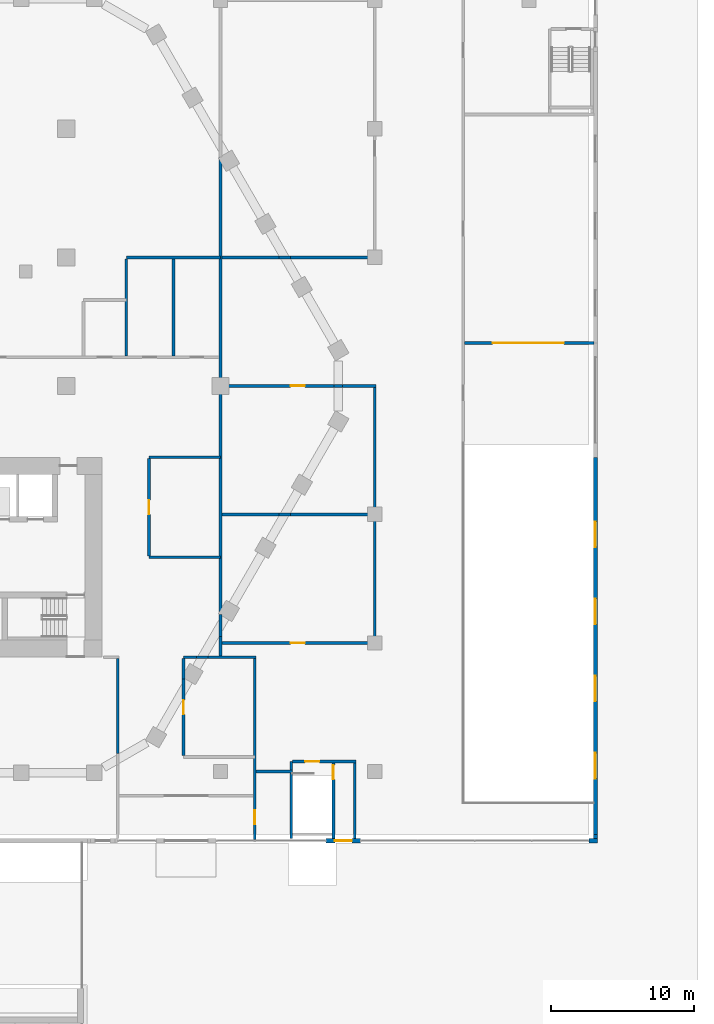
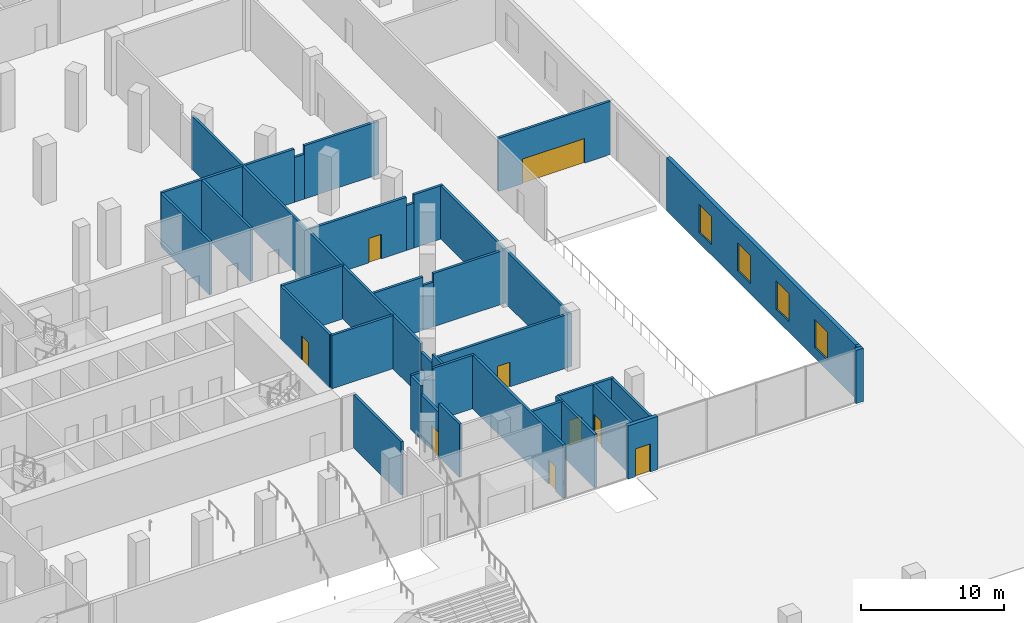
# One storey, part 24 of 57: 38 walls, 9 doors, 4 windows, 13 openings.
"""IFC4 building model written with IfcOpenShell, lengths in metres."""

from ifc_helpers import new_model, si_unit, direction, frame, frame_2d, origin, place, context, subcontext, project, spatial, rectangle, extrude, material, layer, layer_set, type_object, element, fill, save


model = new_model("IFC4")

# Units and contexts
model_context = context("Model", 3, precision=1e-05, world=origin(), true_north=direction((0.0, 1.0)))
body_context = subcontext(model_context, "Body", "Model", "MODEL_VIEW")
ifc_project = project(units=[si_unit("LENGTHUNIT", "METRE"), si_unit("AREAUNIT", "SQUARE_METRE"), si_unit("VOLUMEUNIT", "CUBIC_METRE"), si_unit("PLANEANGLEUNIT", "RADIAN"), si_unit("MASSUNIT", "GRAM", prefix="KILO")], contexts=[model_context])

# Site, building, storey
site_placement = place(None, origin())
site = spatial("IfcSite", under=ifc_project, at=site_placement, CompositionType="ELEMENT")
building_placement = place(site_placement, origin())
building = spatial("IfcBuilding", under=site, at=building_placement, Name="Beryl Residences", CompositionType="ELEMENT")
storey_placement = place(building_placement, origin())
storey = spatial("IfcBuildingStorey", under=building, at=storey_placement, Name="L00", CompositionType="ELEMENT", Elevation=0.0)

# Wall, opening, door
ifc_material_1 = material(Name="Composite metal panel with mineral wool insulation")
ifc_layer_1 = layer(ifc_material_1, 0.300048828125)
ifc_layer_set_1 = layer_set([ifc_layer_1], Name="ES1 pale metal composite panel wall 300 mm")
wall_type_1 = type_object("IfcWallType", Name="ES1 pale metal composite panel wall 300 mm", PredefinedType="SOLIDWALL", material=ifc_layer_set_1)
wall_1_placement = place(storey_placement, frame((29.0, -31.85009765625, 0.0), z_axis=(0.0, 0.0, 1.0), x_axis=(1.0, 0.0, 0.0)))
wall_1 = element("IfcWall", 1, at=wall_1_placement, inside=storey, type_object=wall_type_1, Name="ES1 entrance wall L00 S", PredefinedType="SOLIDWALL", context=body_context, shape_type="SweptSolid", body=[
    extrude(rectangle(XDim=2.39990234375, YDim=0.300048828125, at=frame_2d((1.199951171875, 0.0))), origin(), (0.0, 0.0, 1.0), 4.550048828125),
])
opening_1_placement = place(wall_1_placement, frame((1.800048828125, 0.0, 0.0), z_axis=(0.0, 0.0, 1.0), x_axis=(-1.0, 0.0, 0.0)))
opening_1 = element("IfcOpeningElement", 2, at=opening_1_placement, cuts=wall_1, Name="Opening XD1", PredefinedType="OPENING", context=body_context, shape_type="SweptSolid", body=[
    extrude(rectangle(XDim=1.199951171875, YDim=2.39990234375, at=frame_2d((0.60009765625, 1.199951171875))), frame((0.0, 0.159912109375, 0.0), z_axis=(0.0, -1.0, 0.0), x_axis=(1.0, 0.0, 0.0)), (0.0, 0.0, 1.0), 0.320068359375),
])
ifc_material_2 = material(Name="Galvanised steel", Category="steel")
door_type_1 = type_object("IfcDoorType", Name="XD1 exit door 1200 x 2400 mm", OperationType="SINGLE_SWING_RIGHT", PredefinedType="DOOR", material=ifc_material_2)
door_1_placement = place(opening_1_placement, origin())
door_1 = element("IfcDoor", 3, at=door_1_placement, inside=storey, type_object=door_type_1, Name="XD1 exit door L00 S", OperationType="SINGLE_SWING_RIGHT", OverallHeight=2.39990234375, OverallWidth=1.199951171875, PredefinedType="DOOR", context=body_context, shape_type="SweptSolid", body=[
    extrude(rectangle(XDim=1.199951171875, YDim=2.39990234375, at=frame_2d((0.60009765625, 1.199951171875))), frame((0.0, 0.02490234375, 0.0), z_axis=(0.0, -1.0, 0.0), x_axis=(1.0, 0.0, 0.0)), (0.0, 0.0, 1.0), 0.050048828125),
])
fill(opening_1, door_1)

# Walls
wall_2_placement = place(storey_placement, frame((47.39990234375, -31.85009765625, 0.0), z_axis=(0.0, 0.0, 1.0), x_axis=(1.0, 0.0, 0.0)))
element("IfcWall", 4, at=wall_2_placement, inside=storey, type_object=wall_type_1, Name="ES1 external wall L00 S 27", PredefinedType="SOLIDWALL", context=body_context, shape_type="SweptSolid", body=[
    extrude(rectangle(XDim=0.60009765625, YDim=0.300048828125, at=frame_2d((0.300048828125, 0.0))), origin(), (0.0, 0.0, 1.0), 4.550048828125),
])
wall_3_placement = place(storey_placement, frame((47.85009765625, -31.699951171875, 0.0), z_axis=(0.0, 0.0, 1.0), x_axis=(0.0, 1.0, 0.0)))
element("IfcWall", 5, at=wall_3_placement, inside=storey, type_object=wall_type_1, Name="ES1 external wall L00 E 1", PredefinedType="SOLIDWALL", context=body_context, shape_type="SweptSolid", body=[
    extrude(rectangle(XDim=0.300048828125, YDim=0.300048828125, at=frame_2d((0.14990234375, 0.0))), origin(), (0.0, 0.0, 1.0), 4.550048828125),
])

# Wall, openings, windows
wall_4_placement = place(storey_placement, frame((47.85009765625, -31.39990234375, 0.0), z_axis=(0.0, 0.0, 1.0), x_axis=(0.0, 1.0, 0.0)))
wall_4 = element("IfcWall", 6, at=wall_4_placement, inside=storey, type_object=wall_type_1, Name="ES1 external wall L00 E 2", PredefinedType="SOLIDWALL", context=body_context, shape_type="SweptSolid", body=[
    extrude(rectangle(XDim=26.39990234375, YDim=0.300048828125, at=frame_2d((13.199951171875, 0.0))), origin(), (0.0, 0.0, 1.0), 4.550048828125),
])
opening_2_placement = place(wall_4_placement, frame((3.89990234375, 0.0, 0.89990234375)))
opening_2 = element("IfcOpeningElement", 7, at=opening_2_placement, cuts=wall_4, Name="Opening W4", PredefinedType="OPENING", context=body_context, shape_type="SweptSolid", body=[
    extrude(rectangle(XDim=1.800048828125, YDim=2.39990234375, at=frame_2d((0.89990234375, 1.199951171875))), frame((0.0, 0.159912109375, 0.0), z_axis=(0.0, -1.0, 0.0), x_axis=(1.0, 0.0, 0.0)), (0.0, 0.0, 1.0), 0.320068359375),
])
opening_3_placement = place(wall_4_placement, frame((9.300048828125, 0.0, 0.89990234375)))
opening_3 = element("IfcOpeningElement", 8, at=opening_3_placement, cuts=wall_4, Name="Opening W4", PredefinedType="OPENING", context=body_context, shape_type="SweptSolid", body=[
    extrude(rectangle(XDim=1.800048828125, YDim=2.39990234375, at=frame_2d((0.89990234375, 1.199951171875))), frame((0.0, 0.159912109375, 0.0), z_axis=(0.0, -1.0, 0.0), x_axis=(1.0, 0.0, 0.0)), (0.0, 0.0, 1.0), 0.320068359375),
])
opening_4_placement = place(wall_4_placement, frame((14.699951171875, 0.0, 0.89990234375)))
opening_4 = element("IfcOpeningElement", 9, at=opening_4_placement, cuts=wall_4, Name="Opening W4", PredefinedType="OPENING", context=body_context, shape_type="SweptSolid", body=[
    extrude(rectangle(XDim=1.800048828125, YDim=2.39990234375, at=frame_2d((0.89990234375, 1.199951171875))), frame((0.0, 0.159912109375, 0.0), z_axis=(0.0, -1.0, 0.0), x_axis=(1.0, 0.0, 0.0)), (0.0, 0.0, 1.0), 0.320068359375),
])
opening_5_placement = place(wall_4_placement, frame((20.10009765625, 0.0, 0.89990234375)))
opening_5 = element("IfcOpeningElement", 10, at=opening_5_placement, cuts=wall_4, Name="Opening W4", PredefinedType="OPENING", context=body_context, shape_type="SweptSolid", body=[
    extrude(rectangle(XDim=1.800048828125, YDim=2.39990234375, at=frame_2d((0.89990234375, 1.199951171875))), frame((0.0, 0.159912109375, 0.0), z_axis=(0.0, -1.0, 0.0), x_axis=(1.0, 0.0, 0.0)), (0.0, 0.0, 1.0), 0.320068359375),
])
ifc_material_3 = material(Name="Aluminium and clear glass", Category="aluminium")
window_type = type_object("IfcWindowType", Name="W4 podium window 1800 x 2400 mm", PartitioningType="SINGLE_PANEL", PredefinedType="WINDOW", material=ifc_material_3)
window_1_placement = place(opening_2_placement, origin())
window_1 = element("IfcWindow", 11, at=window_1_placement, inside=storey, type_object=window_type, Name="W4 window L00 E 1", OverallHeight=2.39990234375, OverallWidth=1.800048828125, PartitioningType="SINGLE_PANEL", PredefinedType="WINDOW", context=body_context, shape_type="SweptSolid", body=[
    extrude(rectangle(XDim=1.800048828125, YDim=2.39990234375, at=frame_2d((0.89990234375, 1.199951171875))), frame((0.0, 0.030029296875, 0.0), z_axis=(0.0, -1.0, 0.0), x_axis=(1.0, 0.0, 0.0)), (0.0, 0.0, 1.0), 0.06005859375),
])
fill(opening_2, window_1)
window_2_placement = place(opening_3_placement, origin())
window_2 = element("IfcWindow", 12, at=window_2_placement, inside=storey, type_object=window_type, Name="W4 window L00 E 2", OverallHeight=2.39990234375, OverallWidth=1.800048828125, PartitioningType="SINGLE_PANEL", PredefinedType="WINDOW", context=body_context, shape_type="SweptSolid", body=[
    extrude(rectangle(XDim=1.800048828125, YDim=2.39990234375, at=frame_2d((0.89990234375, 1.199951171875))), frame((0.0, 0.030029296875, 0.0), z_axis=(0.0, -1.0, 0.0), x_axis=(1.0, 0.0, 0.0)), (0.0, 0.0, 1.0), 0.06005859375),
])
fill(opening_3, window_2)
window_3_placement = place(opening_4_placement, origin())
window_3 = element("IfcWindow", 13, at=window_3_placement, inside=storey, type_object=window_type, Name="W4 window L00 E 3", OverallHeight=2.39990234375, OverallWidth=1.800048828125, PartitioningType="SINGLE_PANEL", PredefinedType="WINDOW", context=body_context, shape_type="SweptSolid", body=[
    extrude(rectangle(XDim=1.800048828125, YDim=2.39990234375, at=frame_2d((0.89990234375, 1.199951171875))), frame((0.0, 0.030029296875, 0.0), z_axis=(0.0, -1.0, 0.0), x_axis=(1.0, 0.0, 0.0)), (0.0, 0.0, 1.0), 0.06005859375),
])
fill(opening_4, window_3)
window_4_placement = place(opening_5_placement, origin())
window_4 = element("IfcWindow", 14, at=window_4_placement, inside=storey, type_object=window_type, Name="W4 window L00 E 4", OverallHeight=2.39990234375, OverallWidth=1.800048828125, PartitioningType="SINGLE_PANEL", PredefinedType="WINDOW", context=body_context, shape_type="SweptSolid", body=[
    extrude(rectangle(XDim=1.800048828125, YDim=2.39990234375, at=frame_2d((0.89990234375, 1.199951171875))), frame((0.0, 0.030029296875, 0.0), z_axis=(0.0, -1.0, 0.0), x_axis=(1.0, 0.0, 0.0)), (0.0, 0.0, 1.0), 0.06005859375),
])
fill(opening_5, window_4)

# Wall, opening, door
ifc_material_4 = material(Name="Double stud gypsum board wall")
ifc_layer_2 = layer(ifc_material_4, 0.199951171875)
ifc_layer_set_2 = layer_set([ifc_layer_2], Name="PT10 tenancy wall 200 mm")
wall_type_2 = type_object("IfcWallType", Name="PT10 tenancy wall 200 mm", PredefinedType="PARTITIONING", material=ifc_layer_set_2)
wall_5_placement = place(storey_placement, frame((21.699951171875, -18.0, 0.0), z_axis=(0.0, 0.0, 1.0), x_axis=(1.0, 0.0, 0.0)))
wall_5 = element("IfcWall", 15, at=wall_5_placement, inside=storey, type_object=wall_type_2, Name="Wall PT10 L00 003", PredefinedType="PARTITIONING", context=body_context, shape_type="SweptSolid", body=[
    extrude(rectangle(XDim=10.800048828125, YDim=0.199951171875, at=frame_2d((5.39990234375, 0.0))), origin(), (0.0, 0.0, 1.0), 4.550048828125),
])
opening_6_placement = place(wall_5_placement, frame((4.801025390625, 0.0, 0.0)))
opening_6 = element("IfcOpeningElement", 16, at=opening_6_placement, cuts=wall_5, Name="Opening L00-29", PredefinedType="OPENING", context=body_context, shape_type="SweptSolid", body=[
    extrude(rectangle(XDim=1.0, YDim=2.10009765625, at=frame_2d((0.5, 1.050048828125))), frame((0.0, 0.10986328125, 0.0), z_axis=(0.0, -1.0, 0.0), x_axis=(1.0, 0.0, 0.0)), (0.0, 0.0, 1.0), 0.219970703125),
])
ifc_material_5 = material(Name="Timber door leaf", Category="wood")
door_type_2 = type_object("IfcDoorType", Name="D9 corridor door 1000 x 2100 mm", OperationType="SINGLE_SWING_LEFT", PredefinedType="DOOR", material=ifc_material_5)
door_2_placement = place(opening_6_placement, origin())
door_2 = element("IfcDoor", 17, at=door_2_placement, inside=storey, type_object=door_type_2, Name="Door L00-29 L00 001", OperationType="SINGLE_SWING_LEFT", OverallHeight=2.10009765625, OverallWidth=1.0, PredefinedType="DOOR", context=body_context, shape_type="SweptSolid", body=[
    extrude(rectangle(XDim=1.0, YDim=2.10009765625, at=frame_2d((0.5, 1.050048828125))), frame((0.0, 0.02490234375, 0.0), z_axis=(0.0, -1.0, 0.0), x_axis=(1.0, 0.0, 0.0)), (0.0, 0.0, 1.0), 0.050048828125),
])
fill(opening_6, door_2)

# Walls
wall_6_placement = place(storey_placement, frame((21.699951171875, -9.0, 0.0), z_axis=(0.0, 0.0, 1.0), x_axis=(1.0, 0.0, 0.0)))
element("IfcWall", 18, at=wall_6_placement, inside=storey, type_object=wall_type_2, Name="Wall PT10 L00 007", PredefinedType="PARTITIONING", context=body_context, shape_type="SweptSolid", body=[
    extrude(rectangle(XDim=3.991943359375, YDim=0.199951171875, at=frame_2d((1.99609375, 0.0))), origin(), (0.0, 0.0, 1.0), 4.550048828125),
])
wall_7_placement = place(storey_placement, frame((25.69189453125, -9.0, 0.0), z_axis=(0.0, 0.0, 1.0), x_axis=(1.0, 0.0, 0.0)))
element("IfcWall", 19, at=wall_7_placement, inside=storey, type_object=wall_type_2, Name="Wall PT10 L00 008", PredefinedType="PARTITIONING", context=body_context, shape_type="SweptSolid", body=[
    extrude(rectangle(XDim=0.80908203125, YDim=0.199951171875, at=frame_2d((0.404541015625, 0.0))), origin(), (0.0, 0.0, 1.0), 3.820068359375),
])
wall_8_placement = place(storey_placement, frame((26.5009765625, -9.0, 0.0), z_axis=(0.0, 0.0, 1.0), x_axis=(1.0, 0.0, 0.0)))
element("IfcWall", 20, at=wall_8_placement, inside=storey, type_object=wall_type_2, Name="Wall PT10 L00 009", PredefinedType="PARTITIONING", context=body_context, shape_type="SweptSolid", body=[
    extrude(rectangle(XDim=5.799072265625, YDim=0.199951171875, at=frame_2d((2.8994140625, 0.0))), origin(), (0.0, 0.0, 1.0), 4.550048828125),
])

# Wall, opening, door
wall_9_placement = place(storey_placement, frame((21.699951171875, 0.0, 0.0), z_axis=(0.0, 0.0, 1.0), x_axis=(1.0, 0.0, 0.0)))
wall_9 = element("IfcWall", 21, at=wall_9_placement, inside=storey, type_object=wall_type_2, Name="Wall PT10 L00 010", PredefinedType="PARTITIONING", context=body_context, shape_type="SweptSolid", body=[
    extrude(rectangle(XDim=7.84814453125, YDim=0.199951171875, at=frame_2d((3.924072265625, 0.0))), origin(), (0.0, 0.0, 1.0), 4.550048828125),
])
opening_7_placement = place(wall_9_placement, frame((5.801025390625, 0.0, 0.0), z_axis=(0.0, 0.0, 1.0), x_axis=(-1.0, 0.0, 0.0)))
opening_7 = element("IfcOpeningElement", 22, at=opening_7_placement, cuts=wall_9, Name="Opening L00-30", PredefinedType="OPENING", context=body_context, shape_type="SweptSolid", body=[
    extrude(rectangle(XDim=1.0, YDim=2.10009765625, at=frame_2d((0.5, 1.050048828125))), frame((0.0, 0.10986328125, 0.0), z_axis=(0.0, -1.0, 0.0), x_axis=(1.0, 0.0, 0.0)), (0.0, 0.0, 1.0), 0.219970703125),
])
door_3_placement = place(opening_7_placement, origin())
door_3 = element("IfcDoor", 23, at=door_3_placement, inside=storey, type_object=door_type_2, Name="Door L00-30 L00 001", OperationType="SINGLE_SWING_LEFT", OverallHeight=2.10009765625, OverallWidth=1.0, PredefinedType="DOOR", context=body_context, shape_type="SweptSolid", body=[
    extrude(rectangle(XDim=1.0, YDim=2.10009765625, at=frame_2d((0.5, 1.050048828125))), frame((0.0, 0.02490234375, 0.0), z_axis=(0.0, -1.0, 0.0), x_axis=(1.0, 0.0, 0.0)), (0.0, 0.0, 1.0), 0.050048828125),
])
fill(opening_7, door_3)

# Walls
wall_10_placement = place(storey_placement, frame((29.548095703125, 0.0, 0.0), z_axis=(0.0, 0.0, 1.0), x_axis=(1.0, 0.0, 0.0)))
element("IfcWall", 24, at=wall_10_placement, inside=storey, type_object=wall_type_2, Name="Wall PT10 L00 011", PredefinedType="PARTITIONING", context=body_context, shape_type="SweptSolid", body=[
    extrude(rectangle(XDim=0.600830078125, YDim=0.199951171875, at=frame_2d((0.30029296875, 0.0))), origin(), (0.0, 0.0, 1.0), 3.820068359375),
])
wall_11_placement = place(storey_placement, frame((30.14892578125, 0.0, 0.0), z_axis=(0.0, 0.0, 1.0), x_axis=(1.0, 0.0, 0.0)))
element("IfcWall", 25, at=wall_11_placement, inside=storey, type_object=wall_type_2, Name="Wall PT10 L00 012", PredefinedType="PARTITIONING", context=body_context, shape_type="SweptSolid", body=[
    extrude(rectangle(XDim=2.35107421875, YDim=0.199951171875, at=frame_2d((1.175537109375, 0.0))), origin(), (0.0, 0.0, 1.0), 4.550048828125),
])
wall_12_placement = place(storey_placement, frame((32.39990234375, -17.89990234375, 0.0), z_axis=(0.0, 0.0, 1.0), x_axis=(0.0, 1.0, 0.0)))
element("IfcWall", 26, at=wall_12_placement, inside=storey, type_object=wall_type_2, Name="Wall PT10 L00 029", PredefinedType="PARTITIONING", context=body_context, shape_type="SweptSolid", body=[
    extrude(rectangle(XDim=17.7998046875, YDim=0.199951171875, at=frame_2d((8.89990234375, 0.0))), origin(), (0.0, 0.0, 1.0), 4.550048828125),
])
ifc_material_6 = material(Name="Cement board with tiles")
ifc_layer_3 = layer(ifc_material_6, 0.199951171875)
ifc_layer_set_3 = layer_set([ifc_layer_3], Name="PT11-200 wet area wall 200 mm")
wall_type_3 = type_object("IfcWallType", Name="PT11-200 wet area wall 200 mm", PredefinedType="PARTITIONING", material=ifc_layer_set_3)
wall_13_placement = place(storey_placement, frame((15.0, 9.0, 0.0), z_axis=(0.0, 0.0, 1.0), x_axis=(1.0, 0.0, 0.0)))
element("IfcWall", 27, at=wall_13_placement, inside=storey, type_object=wall_type_3, Name="Wall PT11-200 L00 002", PredefinedType="PARTITIONING", context=body_context, shape_type="SweptSolid", body=[
    extrude(rectangle(XDim=6.60009765625, YDim=0.199951171875, at=frame_2d((3.300048828125, 0.0))), origin(), (0.0, 0.0, 1.0), 4.550048828125),
])
wall_14_placement = place(storey_placement, frame((21.699951171875, 9.0, 0.0), z_axis=(0.0, 0.0, 1.0), x_axis=(1.0, 0.0, 0.0)))
element("IfcWall", 28, at=wall_14_placement, inside=storey, type_object=wall_type_3, Name="Wall PT11-200 L00 003", PredefinedType="PARTITIONING", context=body_context, shape_type="SweptSolid", body=[
    extrude(rectangle(XDim=3.991943359375, YDim=0.199951171875, at=frame_2d((1.99609375, 0.0))), origin(), (0.0, 0.0, 1.0), 4.550048828125),
])
wall_15_placement = place(storey_placement, frame((25.69189453125, 9.0, 0.0), z_axis=(0.0, 0.0, 1.0), x_axis=(1.0, 0.0, 0.0)))
element("IfcWall", 29, at=wall_15_placement, inside=storey, type_object=wall_type_3, Name="Wall PT11-200 L00 004", PredefinedType="PARTITIONING", context=body_context, shape_type="SweptSolid", body=[
    extrude(rectangle(XDim=0.80908203125, YDim=0.199951171875, at=frame_2d((0.404541015625, 0.0))), origin(), (0.0, 0.0, 1.0), 3.820068359375),
])
wall_16_placement = place(storey_placement, frame((26.5009765625, 9.0, 0.0), z_axis=(0.0, 0.0, 1.0), x_axis=(1.0, 0.0, 0.0)))
element("IfcWall", 30, at=wall_16_placement, inside=storey, type_object=wall_type_3, Name="Wall PT11-200 L00 005", PredefinedType="PARTITIONING", context=body_context, shape_type="SweptSolid", body=[
    extrude(rectangle(XDim=5.9990234375, YDim=0.199951171875, at=frame_2d((2.99951171875, 0.0))), origin(), (0.0, 0.0, 1.0), 4.550048828125),
])
for number, where, z_axis, x_axis, name in (
    (31, (15.0, 2.10009765625, 0.0), (0.0, 0.0, 1.0), (0.0, 1.0, 0.0), "Wall PT11-200 L00 007"),
    (32, (18.300048828125, 2.10009765625, 0.0), (0.0, 0.0, 1.0), (0.0, 1.0, 0.0), "Wall PT11-200 L00 008"),
):
    element("IfcWall", number, at=place(storey_placement, frame(where, z_axis=z_axis, x_axis=x_axis)), inside=storey, type_object=wall_type_3, Name=name, PredefinedType="PARTITIONING", context=body_context, shape_type="SweptSolid", body=[
        extrude(rectangle(XDim=6.7998046875, YDim=0.199951171875, at=frame_2d((3.39990234375, 0.0))), origin(), (0.0, 0.0, 1.0), 4.550048828125),
    ])

# Wall, opening, door
ifc_material_7 = material(Name="Concrete C40/50", Category="concrete")
ifc_layer_4 = layer(ifc_material_7, 0.199951171875)
ifc_layer_set_4 = layer_set([ifc_layer_4], Name="PT5 stair enclosure wall 200 mm reinforced concrete C40/50")
wall_type_4 = type_object("IfcWallType", Name="PT5 stair enclosure wall 200 mm reinforced concrete C40/50", PredefinedType="SOLIDWALL", material=ifc_layer_set_4)
wall_17_placement = place(storey_placement, frame((26.64990234375, -26.300048828125, 0.0), z_axis=(0.0, 0.0, 1.0), x_axis=(1.0, 0.0, 0.0)))
wall_17 = element("IfcWall", 33, at=wall_17_placement, inside=storey, type_object=wall_type_4, Name="Wall PT5 L00 006", PredefinedType="SOLIDWALL", context=body_context, shape_type="SweptSolid", body=[
    extrude(rectangle(XDim=4.4501953125, YDim=0.199951171875, at=frame_2d((2.22509765625, 0.0))), origin(), (0.0, 0.0, 1.0), 4.550048828125),
])
opening_8_placement = place(wall_17_placement, frame((1.875, 0.0, 0.0), z_axis=(0.0, 0.0, 1.0), x_axis=(-1.0, 0.0, 0.0)))
opening_8 = element("IfcOpeningElement", 34, at=opening_8_placement, cuts=wall_17, Name="Opening L00-48", PredefinedType="OPENING", context=body_context, shape_type="SweptSolid", body=[
    extrude(rectangle(XDim=1.0, YDim=2.10009765625, at=frame_2d((0.5, 1.050048828125))), frame((0.0, 0.10986328125, 0.0), z_axis=(0.0, -1.0, 0.0), x_axis=(1.0, 0.0, 0.0)), (0.0, 0.0, 1.0), 0.219970703125),
])
ifc_material_8 = material(Name="Steel door leaf in steel frame", Category="steel")
door_type_3 = type_object("IfcDoorType", Name="D15 stair door 1000 x 2100 mm", OperationType="SINGLE_SWING_LEFT", PredefinedType="DOOR", material=ifc_material_8)
door_4_placement = place(opening_8_placement, origin())
door_4 = element("IfcDoor", 35, at=door_4_placement, inside=storey, type_object=door_type_3, Name="Door L00-48 L00 001", OperationType="SINGLE_SWING_LEFT", OverallHeight=2.10009765625, OverallWidth=1.0, PredefinedType="DOOR", context=body_context, shape_type="SweptSolid", body=[
    extrude(rectangle(XDim=1.0, YDim=2.10009765625, at=frame_2d((0.5, 1.050048828125))), frame((0.0, 0.02490234375, 0.0), z_axis=(0.0, -1.0, 0.0), x_axis=(1.0, 0.0, 0.0)), (0.0, 0.0, 1.0), 0.050048828125),
])
fill(opening_8, door_4)

# Walls
wall_18_placement = place(storey_placement, frame((14.39990234375, -25.7490234375, 0.0), z_axis=(0.0, 0.0, 1.0), x_axis=(0.0, 1.0, 0.0)))
element("IfcWall", 36, at=wall_18_placement, inside=storey, type_object=wall_type_4, Name="Wall PT5 L00 053", PredefinedType="SOLIDWALL", context=body_context, shape_type="SweptSolid", body=[
    extrude(rectangle(XDim=6.64892578125, YDim=0.199951171875, at=frame_2d((3.324462890625, 0.0))), origin(), (0.0, 0.0, 1.0), 4.550048828125),
])
wall_19_placement = place(storey_placement, frame((26.550048828125, -31.699951171875, 0.0), z_axis=(0.0, 0.0, 1.0), x_axis=(0.0, 1.0, 0.0)))
element("IfcWall", 37, at=wall_19_placement, inside=storey, type_object=wall_type_4, Name="Wall PT5 L00 057", PredefinedType="SOLIDWALL", context=body_context, shape_type="SweptSolid", body=[
    extrude(rectangle(XDim=5.39990234375, YDim=0.199951171875, at=frame_2d((2.699951171875, 0.0))), origin(), (0.0, 0.0, 1.0), 4.550048828125),
])

# Wall, opening, door
wall_20_placement = place(storey_placement, frame((29.5, -31.699951171875, 0.0), z_axis=(0.0, 0.0, 1.0), x_axis=(0.0, 1.0, 0.0)))
wall_20 = element("IfcWall", 38, at=wall_20_placement, inside=storey, type_object=wall_type_4, Name="Wall PT5 L00 058", PredefinedType="SOLIDWALL", context=body_context, shape_type="SweptSolid", body=[
    extrude(rectangle(XDim=5.300048828125, YDim=0.199951171875, at=frame_2d((2.64990234375, 0.0))), origin(), (0.0, 0.0, 1.0), 4.550048828125),
])
opening_9_placement = place(wall_20_placement, frame((5.14990234375, 0.0, 0.0), z_axis=(0.0, 0.0, 1.0), x_axis=(-1.0, 0.0, 0.0)))
opening_9 = element("IfcOpeningElement", 39, at=opening_9_placement, cuts=wall_20, Name="Opening L00-52", PredefinedType="OPENING", context=body_context, shape_type="SweptSolid", body=[
    extrude(rectangle(XDim=1.0, YDim=2.10009765625, at=frame_2d((0.5, 1.050048828125))), frame((0.0, 0.10986328125, 0.0), z_axis=(0.0, -1.0, 0.0), x_axis=(1.0, 0.0, 0.0)), (0.0, 0.0, 1.0), 0.219970703125),
])
door_5_placement = place(opening_9_placement, origin())
door_5 = element("IfcDoor", 40, at=door_5_placement, inside=storey, type_object=door_type_3, Name="Door L00-52 L00 001", OperationType="SINGLE_SWING_LEFT", OverallHeight=2.10009765625, OverallWidth=1.0, PredefinedType="DOOR", context=body_context, shape_type="SweptSolid", body=[
    extrude(rectangle(XDim=1.0, YDim=2.10009765625, at=frame_2d((0.5, 1.050048828125))), frame((0.0, 0.02490234375, 0.0), z_axis=(0.0, -1.0, 0.0), x_axis=(1.0, 0.0, 0.0)), (0.0, 0.0, 1.0), 0.050048828125),
])
fill(opening_9, door_5)

# Walls
wall_21_placement = place(storey_placement, frame((31.0, -31.699951171875, 0.0), z_axis=(0.0, 0.0, 1.0), x_axis=(0.0, 1.0, 0.0)))
element("IfcWall", 41, at=wall_21_placement, inside=storey, type_object=wall_type_4, Name="Wall PT5 L00 059", PredefinedType="SOLIDWALL", context=body_context, shape_type="SweptSolid", body=[
    extrude(rectangle(XDim=5.300048828125, YDim=0.199951171875, at=frame_2d((2.64990234375, 0.0))), origin(), (0.0, 0.0, 1.0), 4.550048828125),
])
ifc_material_9 = material(Name="Concrete masonry", Category="masonry")
ifc_layer_5 = layer(ifc_material_9, 0.199951171875)
ifc_layer_set_5 = layer_set([ifc_layer_5], Name="PT8-200 service room wall 200 mm")
wall_type_5 = type_object("IfcWallType", Name="PT8-200 service room wall 200 mm", PredefinedType="PARTITIONING", material=ifc_layer_set_5)
wall_22_placement = place(storey_placement, frame((24.10009765625, -27.0, 0.0), z_axis=(0.0, 0.0, 1.0), x_axis=(1.0, 0.0, 0.0)))
element("IfcWall", 42, at=wall_22_placement, inside=storey, type_object=wall_type_5, Name="Wall PT8-200 L00 001", PredefinedType="PARTITIONING", context=body_context, shape_type="SweptSolid", body=[
    extrude(rectangle(XDim=2.5498046875, YDim=0.199951171875, at=frame_2d((1.27490234375, 0.0))), origin(), (0.0, 0.0, 1.0), 4.550048828125),
])
wall_23_placement = place(storey_placement, frame((19.0, -19.0, 0.0), z_axis=(0.0, 0.0, 1.0), x_axis=(1.0, 0.0, 0.0)))
element("IfcWall", 43, at=wall_23_placement, inside=storey, type_object=wall_type_5, Name="Wall PT8-200 L00 003", PredefinedType="PARTITIONING", context=body_context, shape_type="SweptSolid", body=[
    extrude(rectangle(XDim=1.01904296875, YDim=0.199951171875, at=frame_2d((0.509521484375, 0.0))), origin(), (0.0, 0.0, 1.0), 4.550048828125),
])
wall_24_placement = place(storey_placement, frame((19.9189453125, -19.0, 0.0), z_axis=(0.0, 0.0, 1.0), x_axis=(1.0, 0.0, 0.0)))
element("IfcWall", 44, at=wall_24_placement, inside=storey, type_object=wall_type_5, Name="Wall PT8-200 L00 004", PredefinedType="PARTITIONING", context=body_context, shape_type="SweptSolid", body=[
    extrude(rectangle(XDim=0.80810546875, YDim=0.199951171875, at=frame_2d((0.404052734375, 0.0))), origin(), (0.0, 0.0, 1.0), 3.820068359375),
])
wall_25_placement = place(storey_placement, frame((20.72705078125, -19.0, 0.0), z_axis=(0.0, 0.0, 1.0), x_axis=(1.0, 0.0, 0.0)))
element("IfcWall", 45, at=wall_25_placement, inside=storey, type_object=wall_type_5, Name="Wall PT8-200 L00 005", PredefinedType="PARTITIONING", context=body_context, shape_type="SweptSolid", body=[
    extrude(rectangle(XDim=3.373046875, YDim=0.199951171875, at=frame_2d((1.6865234375, 0.0))), origin(), (0.0, 0.0, 1.0), 4.550048828125),
])
for number, where, z_axis, x_axis, name in (
    (46, (16.60009765625, -12.0, 0.0), (0.0, 0.0, 1.0), (1.0, 0.0, 0.0), "Wall PT8-200 L00 006"),
    (47, (16.60009765625, -5.0, 0.0), (0.0, 0.0, 1.0), (1.0, 0.0, 0.0), "Wall PT8-200 L00 007"),
):
    element("IfcWall", number, at=place(storey_placement, frame(where, z_axis=z_axis, x_axis=x_axis)), inside=storey, type_object=wall_type_5, Name=name, PredefinedType="PARTITIONING", context=body_context, shape_type="SweptSolid", body=[
        extrude(rectangle(XDim=5.0, YDim=0.199951171875, at=frame_2d((2.5, 0.0))), origin(), (0.0, 0.0, 1.0), 4.550048828125),
    ])

# Wall, opening, door
wall_26_placement = place(storey_placement, frame((38.699951171875, 3.0, 0.0), z_axis=(0.0, 0.0, 1.0), x_axis=(1.0, 0.0, 0.0)))
wall_26 = element("IfcWall", 48, at=wall_26_placement, inside=storey, type_object=wall_type_5, Name="Wall PT8-200 L00 008", PredefinedType="PARTITIONING", context=body_context, shape_type="SweptSolid", body=[
    extrude(rectangle(XDim=9.050048828125, YDim=0.199951171875, at=frame_2d((4.52490234375, 0.0))), origin(), (0.0, 0.0, 1.0), 4.550048828125),
])
opening_10_placement = place(wall_26_placement, frame((1.949951171875, 0.0, 0.0)))
opening_10 = element("IfcOpeningElement", 49, at=opening_10_placement, cuts=wall_26, Name="Opening L00-38", PredefinedType="OPENING", context=body_context, shape_type="SweptSolid", body=[
    extrude(rectangle(XDim=5.0, YDim=2.10009765625, at=frame_2d((2.5, 1.050048828125))), frame((0.0, 0.10986328125, 0.0), z_axis=(0.0, -1.0, 0.0), x_axis=(1.0, 0.0, 0.0)), (0.0, 0.0, 1.0), 0.219970703125),
])
ifc_material_10 = material(Name="Steel roller shutter", Category="steel")
door_type_4 = type_object("IfcDoorType", Name="RSH1 roller shutter 5000 x 2100 mm", OperationType="ROLLINGUP", PredefinedType="DOOR", material=ifc_material_10)
door_6_placement = place(opening_10_placement, origin())
door_6 = element("IfcDoor", 50, at=door_6_placement, inside=storey, type_object=door_type_4, Name="Door L00-38 L00 001", OperationType="ROLLINGUP", OverallHeight=2.10009765625, OverallWidth=5.0, PredefinedType="DOOR", context=body_context, shape_type="SweptSolid", body=[
    extrude(rectangle(XDim=5.0, YDim=2.10009765625, at=frame_2d((2.5, 1.050048828125))), frame((0.0, 0.02490234375, 0.0), z_axis=(0.0, -1.0, 0.0), x_axis=(1.0, 0.0, 0.0)), (0.0, 0.0, 1.0), 0.050048828125),
])
fill(opening_10, door_6)

wall_27_placement = place(storey_placement, frame((16.60009765625, -11.89990234375, 0.0), z_axis=(0.0, 0.0, 1.0), x_axis=(0.0, 1.0, 0.0)))
wall_27 = element("IfcWall", 51, at=wall_27_placement, inside=storey, type_object=wall_type_5, Name="Wall PT8-200 L00 010", PredefinedType="PARTITIONING", context=body_context, shape_type="SweptSolid", body=[
    extrude(rectangle(XDim=6.7998046875, YDim=0.199951171875, at=frame_2d((3.39990234375, 0.0))), origin(), (0.0, 0.0, 1.0), 4.550048828125),
])
opening_11_placement = place(wall_27_placement, frame((2.89990234375, 0.0, 0.0)))
opening_11 = element("IfcOpeningElement", 52, at=opening_11_placement, cuts=wall_27, Name="Opening L00-06", PredefinedType="OPENING", context=body_context, shape_type="SweptSolid", body=[
    extrude(rectangle(XDim=1.0, YDim=2.10009765625, at=frame_2d((0.5, 1.050048828125))), frame((0.0, 0.10986328125, 0.0), z_axis=(0.0, -1.0, 0.0), x_axis=(1.0, 0.0, 0.0)), (0.0, 0.0, 1.0), 0.219970703125),
])
ifc_material_11 = material(Name="Steel door leaf in steel frame", Category="steel")
door_type_5 = type_object("IfcDoorType", Name="D18 service room door 1000 x 2100 mm", OperationType="SINGLE_SWING_LEFT", PredefinedType="DOOR", material=ifc_material_11)
door_7_placement = place(opening_11_placement, origin())
door_7 = element("IfcDoor", 53, at=door_7_placement, inside=storey, type_object=door_type_5, Name="Door L00-06 L00 001", OperationType="SINGLE_SWING_RIGHT", OverallHeight=2.10009765625, OverallWidth=1.0, PredefinedType="DOOR", context=body_context, shape_type="SweptSolid", body=[
    extrude(rectangle(XDim=1.0, YDim=2.10009765625, at=frame_2d((0.5, 1.050048828125))), frame((0.0, 0.02490234375, 0.0), z_axis=(0.0, -1.0, 0.0), x_axis=(1.0, 0.0, 0.0)), (0.0, 0.0, 1.0), 0.050048828125),
])
fill(opening_11, door_7)

# Wall
wall_28_placement = place(storey_placement, frame((19.0, -25.89990234375, 0.0), z_axis=(0.0, 0.0, 1.0), x_axis=(0.0, 1.0, 0.0)))
element("IfcWall", 54, at=wall_28_placement, inside=storey, type_object=wall_type_5, Name="Wall PT8-200 L00 011", PredefinedType="PARTITIONING", context=body_context, shape_type="SweptSolid", body=[
    extrude(rectangle(XDim=2.89990234375, YDim=0.199951171875, at=frame_2d((1.449951171875, 0.0))), origin(), (0.0, 0.0, 1.0), 4.550048828125),
])

# Wall, opening, door
wall_29_placement = place(storey_placement, frame((19.0, -23.0, 0.0), z_axis=(0.0, 0.0, 1.0), x_axis=(0.0, 1.0, 0.0)))
wall_29 = element("IfcWall", 55, at=wall_29_placement, inside=storey, type_object=wall_type_5, Name="Wall PT8-200 L00 012", PredefinedType="PARTITIONING", context=body_context, shape_type="SweptSolid", body=[
    extrude(rectangle(XDim=2.48095703125, YDim=0.199951171875, at=frame_2d((1.240478515625, 0.0))), origin(), (0.0, 0.0, 1.0), 3.820068359375),
])
opening_12_placement = place(wall_29_placement, origin())
opening_12 = element("IfcOpeningElement", 56, at=opening_12_placement, cuts=wall_29, Name="Opening L00-05", PredefinedType="OPENING", context=body_context, shape_type="SweptSolid", body=[
    extrude(rectangle(XDim=1.0, YDim=2.10009765625, at=frame_2d((0.5, 1.050048828125))), frame((0.0, 0.10986328125, 0.0), z_axis=(0.0, -1.0, 0.0), x_axis=(1.0, 0.0, 0.0)), (0.0, 0.0, 1.0), 0.219970703125),
])
door_8_placement = place(opening_12_placement, origin())
door_8 = element("IfcDoor", 57, at=door_8_placement, inside=storey, type_object=door_type_5, Name="Door L00-05 L00 001", OperationType="SINGLE_SWING_LEFT", OverallHeight=2.10009765625, OverallWidth=1.0, PredefinedType="DOOR", context=body_context, shape_type="SweptSolid", body=[
    extrude(rectangle(XDim=1.0, YDim=2.10009765625, at=frame_2d((0.5, 1.050048828125))), frame((0.0, 0.02490234375, 0.0), z_axis=(0.0, -1.0, 0.0), x_axis=(1.0, 0.0, 0.0)), (0.0, 0.0, 1.0), 0.050048828125),
])
fill(opening_12, door_8)

# Walls
wall_30_placement = place(storey_placement, frame((19.0, -20.51904296875, 0.0), z_axis=(0.0, 0.0, 1.0), x_axis=(0.0, 1.0, 0.0)))
element("IfcWall", 58, at=wall_30_placement, inside=storey, type_object=wall_type_5, Name="Wall PT8-200 L00 013", PredefinedType="PARTITIONING", context=body_context, shape_type="SweptSolid", body=[
    extrude(rectangle(XDim=1.4189453125, YDim=0.199951171875, at=frame_2d((0.70947265625, 0.0))), origin(), (0.0, 0.0, 1.0), 4.550048828125),
])
wall_31_placement = place(storey_placement, frame((21.60009765625, -18.89990234375, 0.0), z_axis=(0.0, 0.0, 1.0), x_axis=(0.0, 1.0, 0.0)))
element("IfcWall", 59, at=wall_31_placement, inside=storey, type_object=wall_type_5, Name="Wall PT8-200 L00 014", PredefinedType="PARTITIONING", context=body_context, shape_type="SweptSolid", body=[
    extrude(rectangle(XDim=1.3388671875, YDim=0.199951171875, at=frame_2d((0.66943359375, 0.0))), origin(), (0.0, 0.0, 1.0), 4.550048828125),
])
wall_32_placement = place(storey_placement, frame((21.60009765625, -17.56103515625, 0.0), z_axis=(0.0, 0.0, 1.0), x_axis=(0.0, 1.0, 0.0)))
element("IfcWall", 60, at=wall_32_placement, inside=storey, type_object=wall_type_5, Name="Wall PT8-200 L00 015", PredefinedType="PARTITIONING", context=body_context, shape_type="SweptSolid", body=[
    extrude(rectangle(XDim=1.546142578125, YDim=0.199951171875, at=frame_2d((0.77294921875, 0.0))), origin(), (0.0, 0.0, 1.0), 3.820068359375),
])
wall_33_placement = place(storey_placement, frame((21.60009765625, -16.014892578125, 0.0), z_axis=(0.0, 0.0, 1.0), x_axis=(0.0, 1.0, 0.0)))
element("IfcWall", 61, at=wall_33_placement, inside=storey, type_object=wall_type_5, Name="Wall PT8-200 L00 016", PredefinedType="PARTITIONING", context=body_context, shape_type="SweptSolid", body=[
    extrude(rectangle(XDim=32.02978515625, YDim=0.199951171875, at=frame_2d((16.014892578125, 0.0))), origin(), (0.0, 0.0, 1.0), 4.550048828125),
])

# Wall, opening, door
wall_34_placement = place(storey_placement, frame((24.0, -31.75, 0.0), z_axis=(0.0, 0.0, 1.0), x_axis=(0.0, 1.0, 0.0)))
wall_34 = element("IfcWall", 62, at=wall_34_placement, inside=storey, type_object=wall_type_5, Name="Wall PT8-200 L00 019", PredefinedType="PARTITIONING", context=body_context, shape_type="SweptSolid", body=[
    extrude(rectangle(XDim=12.64990234375, YDim=0.199951171875, at=frame_2d((6.324951171875, 0.0))), origin(), (0.0, 0.0, 1.0), 4.550048828125),
])
opening_13_placement = place(wall_34_placement, frame((1.050048828125, 0.0, 0.0)))
opening_13 = element("IfcOpeningElement", 63, at=opening_13_placement, cuts=wall_34, Name="Opening L00-04", PredefinedType="OPENING", context=body_context, shape_type="SweptSolid", body=[
    extrude(rectangle(XDim=1.0, YDim=2.10009765625, at=frame_2d((0.5, 1.050048828125))), frame((0.0, 0.10986328125, 0.0), z_axis=(0.0, -1.0, 0.0), x_axis=(1.0, 0.0, 0.0)), (0.0, 0.0, 1.0), 0.219970703125),
])
door_9_placement = place(opening_13_placement, origin())
door_9 = element("IfcDoor", 64, at=door_9_placement, inside=storey, type_object=door_type_5, Name="Door L00-04 L00 001", OperationType="SINGLE_SWING_RIGHT", OverallHeight=2.10009765625, OverallWidth=1.0, PredefinedType="DOOR", context=body_context, shape_type="SweptSolid", body=[
    extrude(rectangle(XDim=1.0, YDim=2.10009765625, at=frame_2d((0.5, 1.050048828125))), frame((0.0, 0.02490234375, 0.0), z_axis=(0.0, -1.0, 0.0), x_axis=(1.0, 0.0, 0.0)), (0.0, 0.0, 1.0), 0.050048828125),
])
fill(opening_13, door_9)

save(model, "model.ifc")
